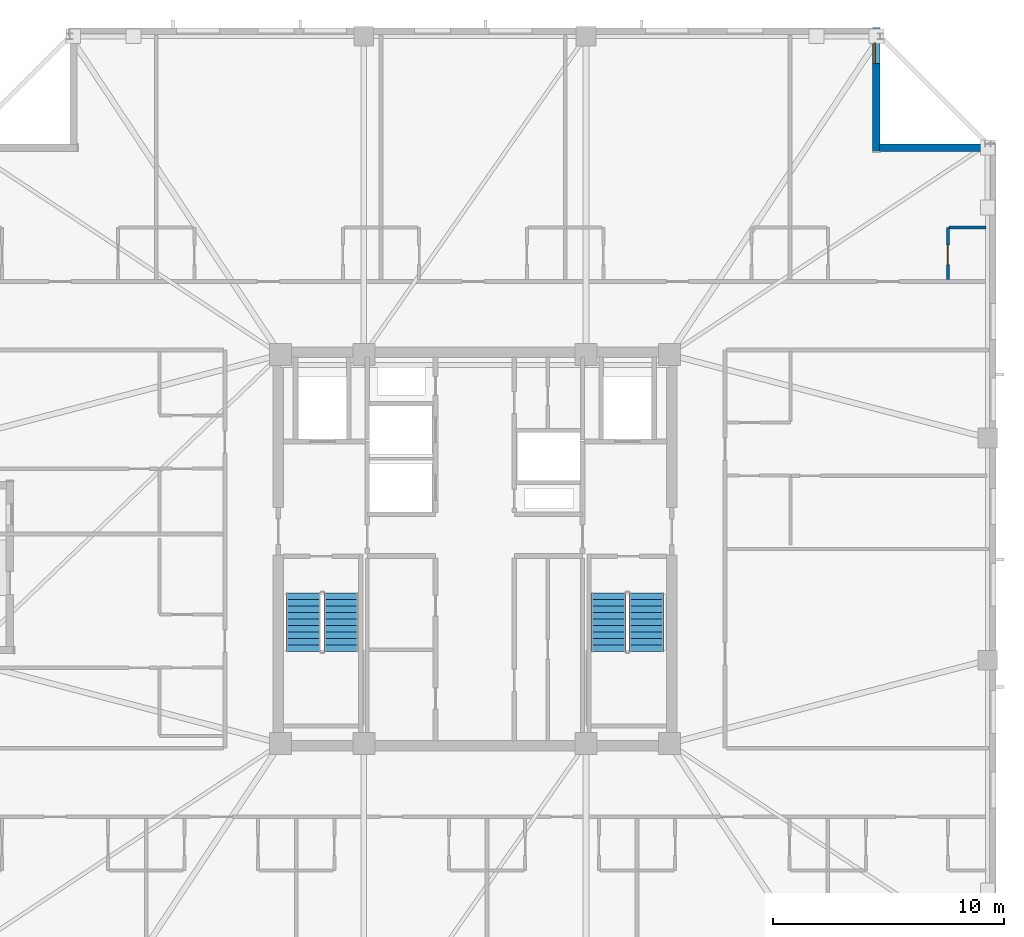
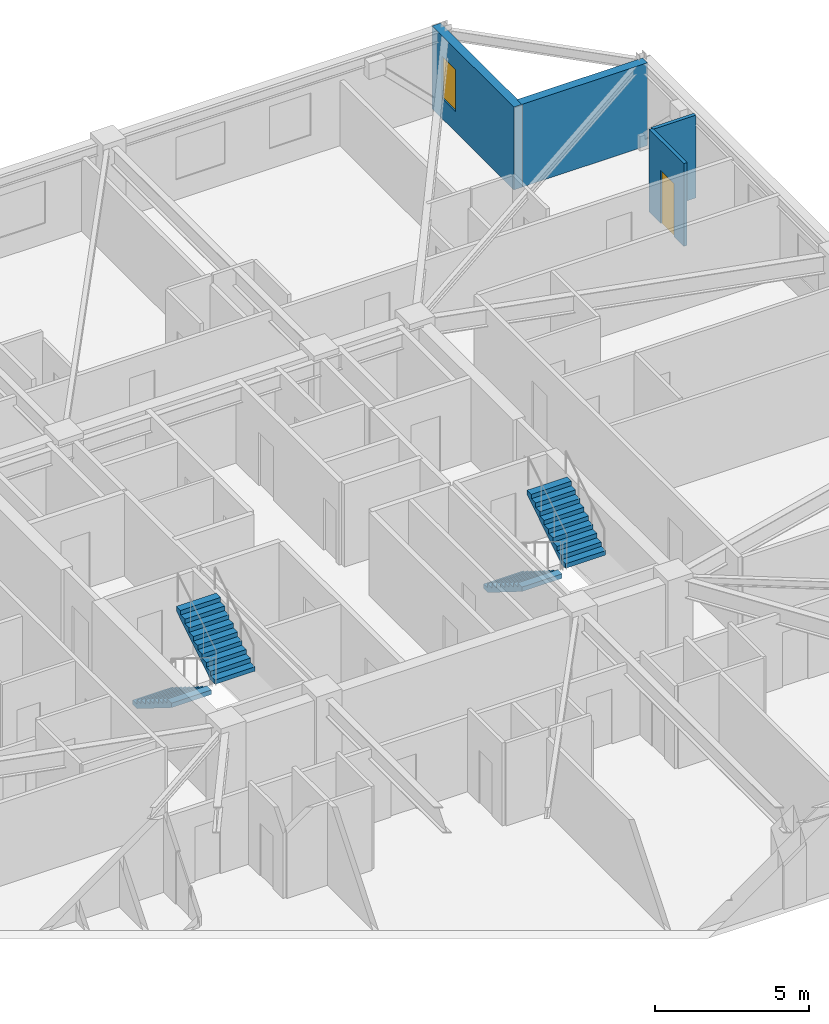
# One storey, part 12 of 17: 4 stair flights, 4 walls, 1 door, 1 window, 2 openings, 2 elements without a shape of their own.
"""IFC4 building model written with IfcOpenShell, lengths in metres."""

from ifc_helpers import new_model, si_unit, direction, frame, frame_2d, origin, place, context, subcontext, project, spatial, polyline, rectangle, outline, extrude, material, layer, layer_set, type_object, element, fill, aggregate, save


model = new_model("IFC4")

# Units and contexts
model_context = context("Model", 3, precision=1e-05, world=origin(), true_north=direction((0.0, 1.0)))
body_context = subcontext(model_context, "Body", "Model", "MODEL_VIEW")
ifc_project = project(units=[si_unit("LENGTHUNIT", "METRE"), si_unit("AREAUNIT", "SQUARE_METRE"), si_unit("VOLUMEUNIT", "CUBIC_METRE"), si_unit("PLANEANGLEUNIT", "RADIAN"), si_unit("MASSUNIT", "GRAM", prefix="KILO")], contexts=[model_context])

# Site, building, storey
site_placement = place(None, origin())
site = spatial("IfcSite", under=ifc_project, at=site_placement, CompositionType="ELEMENT")
building_placement = place(site_placement, origin())
building = spatial("IfcBuilding", under=site, at=building_placement, Name="Cairnveth Concourse Tower", CompositionType="ELEMENT")
storey_placement = place(building_placement, frame((0.0, 0.0, 237.5)))
storey = spatial("IfcBuildingStorey", under=building, at=storey_placement, Name="L65", CompositionType="ELEMENT", Elevation=237.5)

# Wall, opening, door
ifc_material_1 = material(Name="Gypsum Plasterboard Partition", Category="gypsum")
ifc_layer_1 = layer(ifc_material_1, 0.1298828125)
ifc_layer_set_1 = layer_set([ifc_layer_1], Name="Gypsum Plasterboard Partition")
wall_type_1 = type_object("IfcWallType", Name="WET AREA PARTITION 140", PredefinedType="PLUMBINGWALL", material=ifc_layer_set_1)
wall_1_placement = place(storey_placement, frame((72.429931640625, 50.637451171875, 0.0), z_axis=(0.0, 0.0, 1.0), x_axis=(0.0, 1.0, 0.0)))
wall_1 = element("IfcWall", 1, at=wall_1_placement, inside=storey, type_object=wall_type_1, Name="Interior Wall IW-L65-095", PredefinedType="PLUMBINGWALL", context=body_context, shape_type="SweptSolid", body=[
    extrude(rectangle(XDim=2.25, YDim=0.1298828125, at=frame_2d((1.125, 0.0))), origin(), (0.0, 0.0, 1.0), 3.2900390625),
])
opening_1_placement = place(wall_1_placement, frame((0.64990234375, 0.0, 0.0)))
opening_1 = element("IfcOpeningElement", 2, at=opening_1_placement, cuts=wall_1, Name="Opening ID20", PredefinedType="OPENING", context=body_context, shape_type="SweptSolid", body=[
    extrude(rectangle(XDim=0.85009765625, YDim=2.10009765625, at=frame_2d((0.425048828125, 1.050048828125))), frame((0.0, 0.074951171875, 0.0), z_axis=(0.0, -1.0, 0.0), x_axis=(1.0, 0.0, 0.0)), (0.0, 0.0, 1.0), 0.14990234375),
])
ifc_material_2 = material(Name="Solid Core Hardwood Timber Leaf", Category="wood")
door_type = type_object("IfcDoorType", Name="INTERIOR SINGLE DOOR 850X2100", OperationType="NOTDEFINED", PredefinedType="DOOR", material=ifc_material_2)
door_placement = place(opening_1_placement, origin())
door = element("IfcDoor", 3, at=door_placement, inside=storey, type_object=door_type, Name="L65STN5 Kitchen Door", OperationType="SINGLE_SWING_RIGHT", OverallHeight=2.10009765625, OverallWidth=0.85009765625, PredefinedType="DOOR", context=body_context, shape_type="SweptSolid", body=[
    extrude(rectangle(XDim=0.85009765625, YDim=2.10009765625, at=frame_2d((0.425048828125, 1.050048828125))), frame((0.0, 0.02490234375, 0.0), z_axis=(0.0, -1.0, 0.0), x_axis=(1.0, 0.0, 0.0)), (0.0, 0.0, 1.0), 0.050048828125),
])
fill(opening_1, door)

# Wall
wall_2_placement = place(storey_placement, frame((72.47998046875, 52.887451171875, 0.0), z_axis=(0.0, 0.0, 1.0), x_axis=(1.0, 0.0, 0.0)))
element("IfcWall", 4, at=wall_2_placement, inside=storey, type_object=wall_type_1, Name="Interior Wall IW-L65-096", PredefinedType="PLUMBINGWALL", context=body_context, shape_type="SweptSolid", body=[
    extrude(rectangle(XDim=1.60009765625, YDim=0.1298828125, at=frame_2d((0.800048828125, 0.0))), origin(), (0.0, 0.0, 1.0), 3.2900390625),
])

# Wall, opening, window
ifc_material_3 = material(Name="Melbourne Buff Fired Clay Brick Masonry", Category="masonry")
ifc_layer_2 = layer(ifc_material_3, 0.320068359375)
ifc_layer_set_2 = layer_set([ifc_layer_2], Name="Melbourne Buff Fired Clay Brick Masonry")
wall_type_2 = type_object("IfcWallType", Name="ZONE 3 BRICK PIER SPANDREL WALL 320", PredefinedType="SOLIDWALL", material=ifc_layer_set_2)
wall_3_placement = place(storey_placement, frame((69.340087890625, 61.5, 0.0), z_axis=(0.0, 0.0, 1.0), x_axis=(0.0, -1.0, 0.0)))
wall_3 = element("IfcWall", 5, at=wall_3_placement, inside=storey, type_object=wall_type_2, Name="Exterior Wall EW-L65-S04", PredefinedType="SOLIDWALL", context=body_context, shape_type="SweptSolid", body=[
    extrude(rectangle(XDim=5.320068359375, YDim=0.320068359375, at=frame_2d((2.66015625, 0.0))), origin(), (0.0, 0.0, 1.0), 3.2900390625),
])
opening_2_placement = place(wall_3_placement, frame((0.6298828125, 0.0, 0.800048828125)))
opening_2 = element("IfcOpeningElement", 6, at=opening_2_placement, cuts=wall_3, Name="Opening W13", PredefinedType="OPENING", context=body_context, shape_type="SweptSolid", body=[
    extrude(rectangle(XDim=0.89990234375, YDim=1.677978515625, at=frame_2d((0.449951171875, 0.8388671875))), frame((0.0, 0.169921875, 0.0), z_axis=(0.0, -1.0, 0.0), x_axis=(1.0, 0.0, 0.0)), (0.0, 0.0, 1.0), 0.340087890625),
])
ifc_material_4 = material(Name="Double Glazed Low-E Clear Glass", Category="glass")
window_type = type_object("IfcWindowType", Name="DEEP-SET BEDROOM LANCET WINDOW 900X1750", PartitioningType="DOUBLE_PANEL_VERTICAL", PredefinedType="WINDOW", material=ifc_material_4)
window_placement = place(opening_2_placement, origin())
window = element("IfcWindow", 7, at=window_placement, inside=storey, type_object=window_type, Name="Dwelling Lancet Window L65-DW4", OverallHeight=1.677978515625, OverallWidth=0.89990234375, PartitioningType="SINGLE_PANEL", PredefinedType="WINDOW", context=body_context, shape_type="SweptSolid", body=[
    extrude(rectangle(XDim=0.89990234375, YDim=1.677978515625, at=frame_2d((0.449951171875, 0.8388671875))), frame((0.0, -0.0400390625, 0.0), z_axis=(0.0, -1.0, 0.0), x_axis=(1.0, 0.0, 0.0)), (0.0, 0.0, 1.0), 0.06005859375),
])
fill(opening_2, window)

# Wall
wall_4_placement = place(storey_placement, frame((69.47802734375, 56.340087890625, 0.0), z_axis=(0.0, 0.0, 1.0), x_axis=(1.0, 0.0, 0.0)))
element("IfcWall", 8, at=wall_4_placement, inside=storey, type_object=wall_type_2, Name="Exterior Wall EW-L65-S05", PredefinedType="SOLIDWALL", context=body_context, shape_type="SweptSolid", body=[
    extrude(rectangle(XDim=4.723876953125, YDim=0.320068359375, at=frame_2d((2.36181640625, 0.0))), origin(), (0.0, 0.0, 1.0), 3.2900390625),
])

# Stair, stair flights
ifc_material_5 = material(Name="Precast concrete N50 (50 MPa)", Category="concrete")
stair_type = type_object("IfcStairType", Name="CORE DOG-LEG FIRE STAIR 1500", PredefinedType="HALF_TURN_STAIR", material=ifc_material_5)
stair_1_placement = place(storey_placement, origin())
stair_1 = element("IfcStair", 9, at=stair_1_placement, inside=storey, type_object=stair_type, Name="L65 Fire-Isolated Stair ST-1", PredefinedType="HALF_TURN_STAIR")
stair_flight_type = type_object("IfcStairFlightType", Name="PRECAST CONCRETE STAIR FLIGHT 1500", PredefinedType="STRAIGHT", material=ifc_material_5)
stair_flight_1_placement = place(storey_placement, frame((44.590087890625, 37.10009765625, 0.0), z_axis=(0.0, 0.0, 1.0), x_axis=(0.0, -1.0, 0.0)))
stair_flight_1 = element("IfcStairFlight", 10, at=stair_flight_1_placement, type_object=stair_flight_type, Name="ST-1 flight 1", NumberOfRisers=10, NumberOfTreads=9, PredefinedType="STRAIGHT", RiserHeight=0.175, TreadLength=0.28, context=body_context, shape_type="SweptSolid", body=[
    extrude(outline(polyline([(0.0, 0.0), (0.0, 0.175048828125), (0.280029296875, 0.175048828125), (0.280029296875, 0.35009765625), (0.56005859375, 0.35009765625), (0.56005859375, 0.52490234375), (0.840087890625, 0.52490234375), (0.840087890625, 0.699951171875), (1.1201171875, 0.699951171875), (1.1201171875, 0.875), (1.39990234375, 0.875), (1.39990234375, 1.050048828125), (1.679931640625, 1.050048828125), (1.679931640625, 1.22509765625), (1.9599609375, 1.22509765625), (1.9599609375, 1.39990234375), (2.239990234375, 1.39990234375), (2.239990234375, 1.574951171875), (2.52001953125, 1.574951171875), (2.52001953125, 1.75), (2.52001953125, 1.398193359375), (0.28271484375, 0.0), (0.0, 0.0)])), frame((0.0, 0.75, 0.0), z_axis=(0.0, -1.0, 0.0), x_axis=(1.0, 0.0, 0.0)), (0.0, 0.0, 1.0), 1.5),
])
stair_flight_2_placement = place(storey_placement, frame((46.22998046875, 34.580078125, 1.75), z_axis=(0.0, 0.0, 1.0), x_axis=(0.0, 1.0, 0.0)))
stair_flight_2 = element("IfcStairFlight", 11, at=stair_flight_2_placement, type_object=stair_flight_type, Name="ST-1 flight 2", NumberOfRisers=10, NumberOfTreads=9, PredefinedType="STRAIGHT", RiserHeight=0.175, TreadLength=0.28, context=body_context, shape_type="SweptSolid", body=[
    extrude(outline(polyline([(0.0, 0.0), (0.0, 0.175048828125), (0.280029296875, 0.175048828125), (0.280029296875, 0.35009765625), (0.56005859375, 0.35009765625), (0.56005859375, 0.52490234375), (0.840087890625, 0.52490234375), (0.840087890625, 0.699951171875), (1.1201171875, 0.699951171875), (1.1201171875, 0.875), (1.39990234375, 0.875), (1.39990234375, 1.050048828125), (1.679931640625, 1.050048828125), (1.679931640625, 1.22509765625), (1.9599609375, 1.22509765625), (1.9599609375, 1.39990234375), (2.239990234375, 1.39990234375), (2.239990234375, 1.574951171875), (2.52001953125, 1.574951171875), (2.52001953125, 1.75), (2.52001953125, 1.398193359375), (0.28271484375, 0.0), (0.0, 0.0)])), frame((0.0, 0.75, 0.0), z_axis=(0.0, -1.0, 0.0), x_axis=(1.0, 0.0, 0.0)), (0.0, 0.0, 1.0), 1.5),
])
aggregate(stair_1, [stair_flight_1, stair_flight_2])

stair_2_placement = place(storey_placement, origin())
stair_2 = element("IfcStair", 12, at=stair_2_placement, inside=storey, type_object=stair_type, Name="L65 Fire-Isolated Stair ST-2", PredefinedType="HALF_TURN_STAIR")
stair_flight_3_placement = place(storey_placement, frame((57.77001953125, 37.10009765625, 0.0), z_axis=(0.0, 0.0, 1.0), x_axis=(0.0, -1.0, 0.0)))
stair_flight_3 = element("IfcStairFlight", 13, at=stair_flight_3_placement, type_object=stair_flight_type, Name="ST-2 flight 1", NumberOfRisers=10, NumberOfTreads=9, PredefinedType="STRAIGHT", RiserHeight=0.175, TreadLength=0.28, context=body_context, shape_type="SweptSolid", body=[
    extrude(outline(polyline([(0.0, 0.0), (0.0, 0.175048828125), (0.280029296875, 0.175048828125), (0.280029296875, 0.35009765625), (0.56005859375, 0.35009765625), (0.56005859375, 0.52490234375), (0.840087890625, 0.52490234375), (0.840087890625, 0.699951171875), (1.1201171875, 0.699951171875), (1.1201171875, 0.875), (1.39990234375, 0.875), (1.39990234375, 1.050048828125), (1.679931640625, 1.050048828125), (1.679931640625, 1.22509765625), (1.9599609375, 1.22509765625), (1.9599609375, 1.39990234375), (2.239990234375, 1.39990234375), (2.239990234375, 1.574951171875), (2.52001953125, 1.574951171875), (2.52001953125, 1.75), (2.52001953125, 1.398193359375), (0.28271484375, 0.0), (0.0, 0.0)])), frame((0.0, 0.75, 0.0), z_axis=(0.0, -1.0, 0.0), x_axis=(1.0, 0.0, 0.0)), (0.0, 0.0, 1.0), 1.5),
])
stair_flight_4_placement = place(storey_placement, frame((59.409912109375, 34.580078125, 1.75), z_axis=(0.0, 0.0, 1.0), x_axis=(0.0, 1.0, 0.0)))
stair_flight_4 = element("IfcStairFlight", 14, at=stair_flight_4_placement, type_object=stair_flight_type, Name="ST-2 flight 2", NumberOfRisers=10, NumberOfTreads=9, PredefinedType="STRAIGHT", RiserHeight=0.175, TreadLength=0.28, context=body_context, shape_type="SweptSolid", body=[
    extrude(outline(polyline([(0.0, 0.0), (0.0, 0.175048828125), (0.280029296875, 0.175048828125), (0.280029296875, 0.35009765625), (0.56005859375, 0.35009765625), (0.56005859375, 0.52490234375), (0.840087890625, 0.52490234375), (0.840087890625, 0.699951171875), (1.1201171875, 0.699951171875), (1.1201171875, 0.875), (1.39990234375, 0.875), (1.39990234375, 1.050048828125), (1.679931640625, 1.050048828125), (1.679931640625, 1.22509765625), (1.9599609375, 1.22509765625), (1.9599609375, 1.39990234375), (2.239990234375, 1.39990234375), (2.239990234375, 1.574951171875), (2.52001953125, 1.574951171875), (2.52001953125, 1.75), (2.52001953125, 1.398193359375), (0.28271484375, 0.0), (0.0, 0.0)])), frame((0.0, 0.75, 0.0), z_axis=(0.0, -1.0, 0.0), x_axis=(1.0, 0.0, 0.0)), (0.0, 0.0, 1.0), 1.5),
])
aggregate(stair_2, [stair_flight_3, stair_flight_4])

save(model, "model.ifc")
